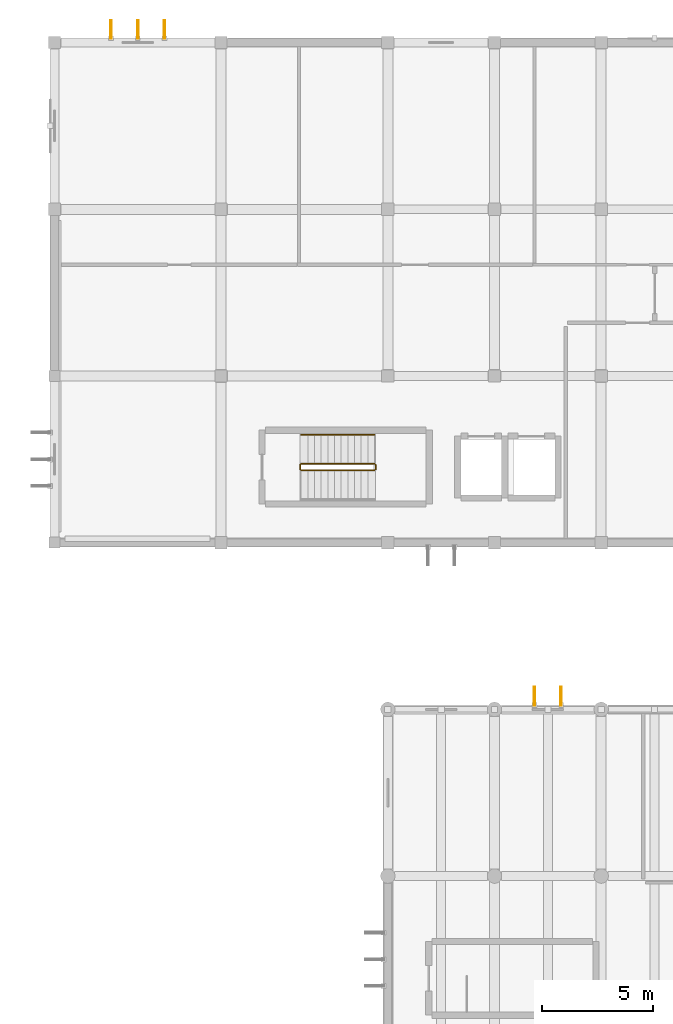
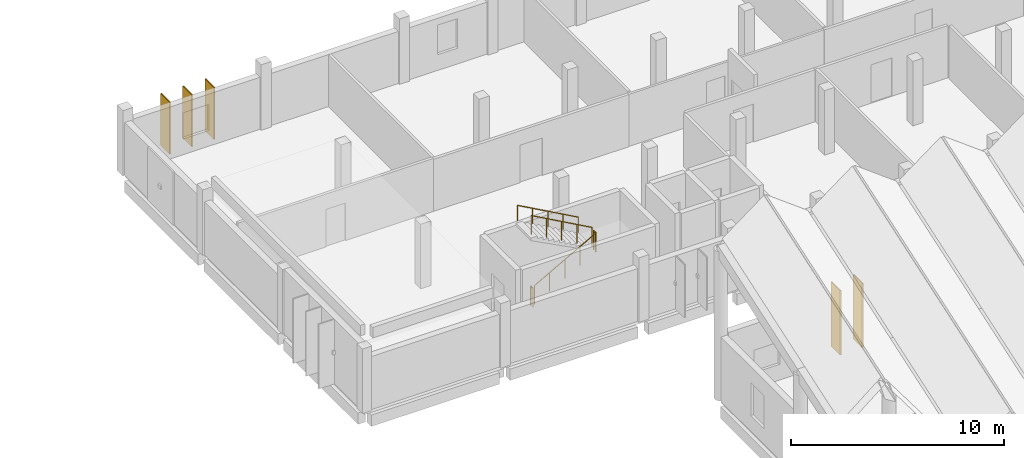
# One storey, part 44 of 47: 5 railings, 5 shading devices.
"""IFC4 building model written with IfcOpenShell, lengths in metres."""

from ifc_helpers import new_model, si_unit, direction, frame, origin, origin_2d, place, context, subcontext, project, spatial, hollow_rectangle, circle, extrude, material, material_profile, profile_set, type_object, element, save


model = new_model("IFC4")

# Units and contexts
model_context = context("Model", 3, precision=1e-05, world=origin(), true_north=direction((0.0, 1.0)))
body_context = subcontext(model_context, "Body", "Model", "MODEL_VIEW")
ifc_project = project(units=[si_unit("LENGTHUNIT", "METRE"), si_unit("AREAUNIT", "SQUARE_METRE"), si_unit("VOLUMEUNIT", "CUBIC_METRE"), si_unit("PLANEANGLEUNIT", "RADIAN"), si_unit("MASSUNIT", "GRAM", prefix="KILO")], contexts=[model_context])

# Site, building, storey
site_placement = place(None, origin())
site = spatial("IfcSite", under=ifc_project, at=site_placement, CompositionType="ELEMENT")
building_placement = place(site_placement, origin())
building = spatial("IfcBuilding", under=site, at=building_placement, Name="Mawjan Specialist Oncology Clinic", CompositionType="ELEMENT")
storey_placement = place(building_placement, frame((0.0, 0.0, 9.5)))
storey = spatial("IfcBuildingStorey", under=building, at=storey_placement, Name="L02", CompositionType="ELEMENT", Elevation=9.5)

# Railings
ifc_material_1 = material(Name="Powder-coated steel stair guard with vertical infill pickets", Category="steel")
railing_type_1 = type_object("IfcRailingType", Name="GR-110", PredefinedType="GUARDRAIL", material=ifc_material_1)
railing_1_placement = place(storey_placement, frame((56.10009765625, 86.550048828125, 0.166748046875)))
element("IfcRailing", 1, at=railing_1_placement, inside=storey, type_object=railing_type_1, Name="L02 ST-03 stair guard 1", PredefinedType="GUARDRAIL", context=body_context, shape_type="SweptSolid", body=[
    extrude(circle(Radius=0.02392578125, at=origin_2d()), frame((0.0, 0.0, 1.076171875), z_axis=(0.874154225373, 0.0, 0.485648422486), x_axis=(0.0, 1.0, 0.0)), (0.0, 0.0, 1.0), 3.77490234375),
    extrude(circle(Radius=0.02099609375, at=origin_2d()), origin(), (0.0, 0.0, 1.0), 1.052001953125),
    extrude(circle(Radius=0.02099609375, at=origin_2d()), frame((0.824951171875, 0.0, 0.458251953125)), (0.0, 0.0, 1.0), 1.052001953125),
    extrude(circle(Radius=0.02099609375, at=origin_2d()), frame((1.64990234375, 0.0, 0.91650390625)), (0.0, 0.0, 1.0), 1.052001953125),
    extrude(circle(Radius=0.02099609375, at=origin_2d()), frame((2.474853515625, 0.0, 1.375)), (0.0, 0.0, 1.0), 1.052001953125),
    extrude(circle(Radius=0.02099609375, at=origin_2d()), frame((3.2998046875, 0.0, 1.833251953125)), (0.0, 0.0, 1.0), 1.052001953125),
])
railing_2_placement = place(storey_placement, frame((59.449951171875, 86.60009765625, 2.0)))
element("IfcRailing", 2, at=railing_2_placement, inside=storey, type_object=railing_type_1, Name="L02 ST-03 stair guard 2", PredefinedType="GUARDRAIL", context=body_context, shape_type="SweptSolid", body=[
    extrude(circle(Radius=0.02392578125, at=origin_2d()), frame((0.0, 0.0, 1.076171875), z_axis=(0.0, 1.0, 0.0), x_axis=(-1.0, 0.0, 0.0)), (0.0, 0.0, 1.0), 0.199951171875),
    extrude(circle(Radius=0.02099609375, at=origin_2d()), origin(), (0.0, 0.0, 1.0), 1.052001953125),
    extrude(circle(Radius=0.02099609375, at=origin_2d()), frame((0.0, 0.199951171875, 0.0)), (0.0, 0.0, 1.0), 1.052001953125),
])
railing_3_placement = place(storey_placement, frame((59.39990234375, 86.85009765625, 2.166748046875)))
element("IfcRailing", 3, at=railing_3_placement, inside=storey, type_object=railing_type_1, Name="L02 ST-03 stair guard 3", PredefinedType="GUARDRAIL", context=body_context, shape_type="SweptSolid", body=[
    extrude(circle(Radius=0.02392578125, at=origin_2d()), frame((0.0, 0.0, 1.076171875), z_axis=(-0.874154225373, 0.0, 0.485648422486), x_axis=(0.0, -1.0, 0.0)), (0.0, 0.0, 1.0), 3.77490234375),
    extrude(circle(Radius=0.02099609375, at=origin_2d()), origin(), (0.0, 0.0, 1.0), 1.052001953125),
    extrude(circle(Radius=0.02099609375, at=origin_2d()), frame((-0.824951171875, 0.0, 0.458251953125)), (0.0, 0.0, 1.0), 1.052001953125),
    extrude(circle(Radius=0.02099609375, at=origin_2d()), frame((-1.64990234375, 0.0, 0.91650390625)), (0.0, 0.0, 1.0), 1.052001953125),
    extrude(circle(Radius=0.02099609375, at=origin_2d()), frame((-2.474853515625, 0.0, 1.375)), (0.0, 0.0, 1.0), 1.052001953125),
    extrude(circle(Radius=0.02099609375, at=origin_2d()), frame((-3.2998046875, 0.0, 1.833251953125)), (0.0, 0.0, 1.0), 1.052001953125),
])
railing_4_placement = place(storey_placement, frame((56.050048828125, 86.60009765625, 0.0)))
element("IfcRailing", 4, at=railing_4_placement, inside=storey, type_object=railing_type_1, Name="L02 ST-03 stair guard 4", PredefinedType="GUARDRAIL", context=body_context, shape_type="SweptSolid", body=[
    extrude(circle(Radius=0.02392578125, at=origin_2d()), frame((0.0, 0.0, 1.076171875), z_axis=(0.0, 1.0, 0.0), x_axis=(-1.0, 0.0, 0.0)), (0.0, 0.0, 1.0), 0.199951171875),
    extrude(circle(Radius=0.02099609375, at=origin_2d()), origin(), (0.0, 0.0, 1.0), 1.052001953125),
    extrude(circle(Radius=0.02099609375, at=origin_2d()), frame((0.0, 0.199951171875, 0.0)), (0.0, 0.0, 1.0), 1.052001953125),
])
ifc_material_2 = material(Name="Brushed stainless-steel tubular handrail", Category="steel")
railing_type_2 = type_object("IfcRailingType", Name="HR-090", PredefinedType="HANDRAIL", material=ifc_material_2)
railing_5_placement = place(storey_placement, frame((59.39990234375, 88.14990234375, 2.166748046875)))
element("IfcRailing", 5, at=railing_5_placement, inside=storey, type_object=railing_type_2, Name="L02 ST-03 stair handrail 2", PredefinedType="HANDRAIL", context=body_context, shape_type="SweptSolid", body=[
    extrude(circle(Radius=0.02392578125, at=origin_2d()), frame((0.0, 0.0, 0.8759765625), z_axis=(-0.874154225373, 0.0, 0.485648422486), x_axis=(0.0, -1.0, 0.0)), (0.0, 0.0, 1.0), 3.77490234375),
    extrude(circle(Radius=0.02099609375, at=origin_2d()), origin(), (0.0, 0.0, 1.0), 0.851806640625),
    extrude(circle(Radius=0.02099609375, at=origin_2d()), frame((-0.824951171875, 0.0, 0.458251953125)), (0.0, 0.0, 1.0), 0.851806640625),
    extrude(circle(Radius=0.02099609375, at=origin_2d()), frame((-1.64990234375, 0.0, 0.91650390625)), (0.0, 0.0, 1.0), 0.851806640625),
    extrude(circle(Radius=0.02099609375, at=origin_2d()), frame((-2.474853515625, 0.0, 1.375)), (0.0, 0.0, 1.0), 0.851806640625),
    extrude(circle(Radius=0.02099609375, at=origin_2d()), frame((-3.2998046875, 0.0, 1.833251953125)), (0.0, 0.0, 1.0), 0.851806640625),
])

# Shading devices
ifc_material_3 = material(Name="Bronze-anodised aluminium 6063-T6", Category="aluminium")
ifc_material_profile = material_profile(ifc_material_3, hollow_rectangle(XDim=0.070068359375, YDim=0.85009765625, WallThickness=0.0048828125, at=origin_2d()), Name="FIN 850x70x5", Category="aluminium")
ifc_profile_set = profile_set([ifc_material_profile], Name="Bronze-anodised aluminium 6063-T6")
shading_device_type = type_object("IfcShadingDeviceType", Name="SF-850", PredefinedType="USERDEFINED", material=ifc_profile_set)
for number, where, z_axis, x_axis, name in (
    (6, (47.550048828125, 106.389892578125, 0.0), (0.0, 0.0, 1.0), (1.0, 0.0, 0.0), "L02 Vertical Solar Fin SF-0036"),
    (7, (48.75, 106.389892578125, 0.0), (0.0, 0.0, 1.0), (1.0, 0.0, 0.0), "L02 Vertical Solar Fin SF-0037"),
    (8, (49.949951171875, 106.389892578125, 0.0), (0.0, 0.0, 1.0), (1.0, 0.0, 0.0), "L02 Vertical Solar Fin SF-0038"),
):
    element("IfcShadingDevice", number, at=place(storey_placement, frame(where, z_axis=z_axis, x_axis=x_axis)), inside=storey, type_object=shading_device_type, Name=name, ObjectType="SOLAR FIN", PredefinedType="USERDEFINED", context=body_context, shape_type="SweptSolid", body=[
        extrude(hollow_rectangle(XDim=0.070068359375, YDim=0.85009765625, WallThickness=0.0048828125, at=origin_2d()), origin(), (0.0, 0.0, 1.0), 2.985107421875),
    ])
for number, where, z_axis, x_axis, name in (
    (9, (66.60009765625, 76.389892578125, 0.0), (0.0, 0.0, 1.0), (1.0, 0.0, 0.0), "L02 Vertical Solar Fin SF-0056"),
    (10, (67.800048828125, 76.389892578125, 0.0), (0.0, 0.0, 1.0), (1.0, 0.0, 0.0), "L02 Vertical Solar Fin SF-0057"),
):
    element("IfcShadingDevice", number, at=place(storey_placement, frame(where, z_axis=z_axis, x_axis=x_axis)), inside=storey, type_object=shading_device_type, Name=name, ObjectType="SOLAR FIN", PredefinedType="USERDEFINED", context=body_context, shape_type="SweptSolid", body=[
        extrude(hollow_rectangle(XDim=0.070068359375, YDim=0.85009765625, WallThickness=0.0048828125, at=origin_2d()), origin(), (0.0, 0.0, 1.0), 3.699951171875),
    ])

save(model, "model.ifc")
